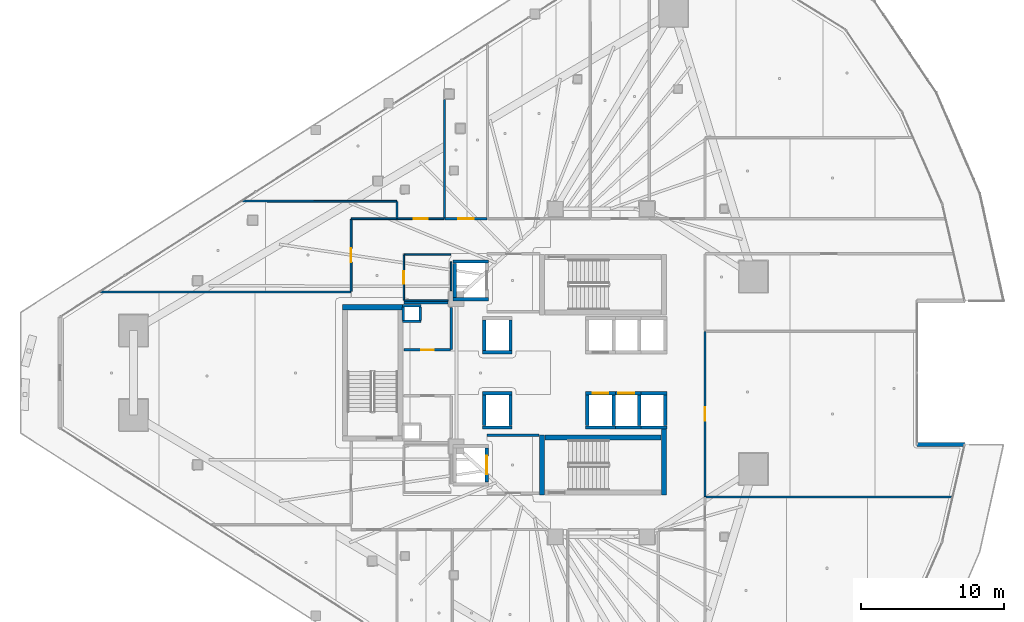
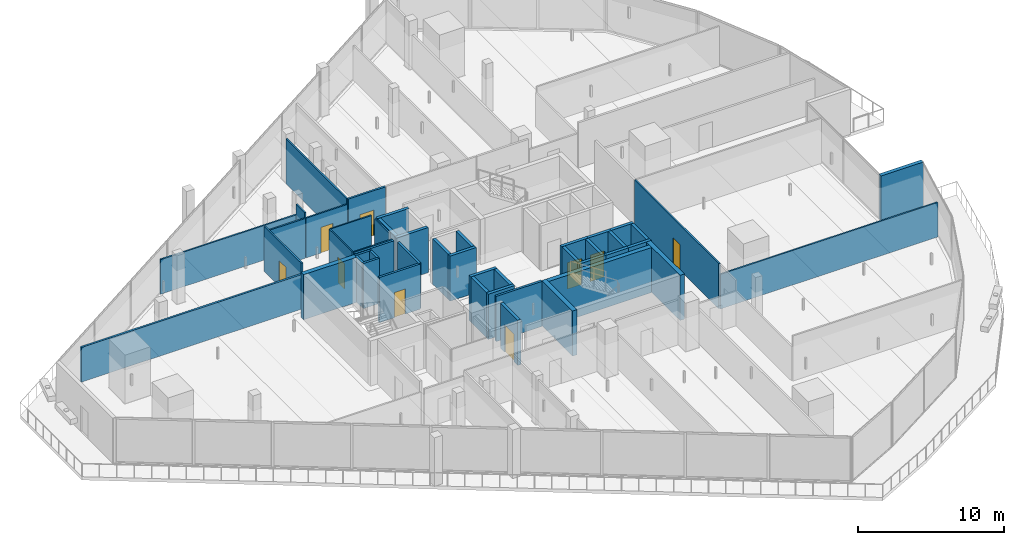
# One storey, part 31 of 45: 48 walls, 9 doors, 9 openings.
"""IFC4 building model written with IfcOpenShell, lengths in metres."""

import ifcopenshell
import ifcopenshell.guid

model = None  # the IFC model being written
_history = None  # IfcOwnerHistory: only IFC2X3 demands one
_inside = {}  # id of a spatial element -> (the spatial element, [elements in it])
_under = {}  # id of a project, library or spatial element -> (it, [spatial elements below it])
_declared = {}  # id of a project -> (the project, [libraries it declares])
_typed = {}  # id of a type object -> (the type object, [elements of that type])
_made_of = {}  # id of a material, layer set ... -> (it, [elements and type objects made of it])


def new_model(schema):
    """Start an empty IFC model of exactly this schema.

    Asked for "IFC4X3", IfcOpenShell would pick the latest addendum, in which some entities
    have other attributes; the version numbers below select the first issue.
    IFC2X3 requires an IfcOwnerHistory on every rooted entity: one is made here for all.
    """
    global model, _history
    if schema == "IFC4X3":
        model = ifcopenshell.file(schema_version=(4, 3, 0, 0))
    else:
        model = ifcopenshell.file(schema=schema)
    _inside.clear()
    _under.clear()
    _declared.clear()
    _typed.clear()
    _made_of.clear()
    _history = None
    if model.schema == "IFC2X3":
        org = make("IfcOrganization", Name="unknown")
        user = make(
            "IfcPersonAndOrganization",
            ThePerson=make("IfcPerson", FamilyName="unknown"),
            TheOrganization=org,
        )
        app = make(
            "IfcApplication",
            ApplicationDeveloper=org,
            Version="unknown",
            ApplicationFullName="unknown",
            ApplicationIdentifier="unknown",
        )
        _history = make(
            "IfcOwnerHistory",
            OwningUser=user,
            OwningApplication=app,
            ChangeAction="ADDED",
            CreationDate=0,
        )
    return model


def make(cls, **values):
    """One entity of the class cls with the attributes given. An attribute that is None is left unset."""
    return model.create_entity(
        cls, **{name: value for name, value in values.items() if value is not None}
    )


def rooted(cls, **values):
    """An entity with a GlobalId (a new one), such as an element, a storey or a relation."""
    return make(cls, GlobalId=ifcopenshell.guid.new(), OwnerHistory=_history, **values)


def si_unit(unit_type, name, prefix=None):
    """IfcSIUnit, for example si_unit("LENGTHUNIT", "METRE", prefix="MILLI")."""
    return make("IfcSIUnit", UnitType=unit_type, Prefix=prefix, Name=name)


def assignment(units):
    """IfcUnitAssignment: the units of a project."""
    return None if units is None else make("IfcUnitAssignment", Units=units)


def point(xyz):
    """IfcCartesianPoint."""
    return None if xyz is None else make("IfcCartesianPoint", Coordinates=xyz)


def direction(xyz):
    """IfcDirection."""
    return None if xyz is None else make("IfcDirection", DirectionRatios=xyz)


def frame(location, z_axis=None, x_axis=None):
    """IfcAxis2Placement3D, a coordinate frame: its origin and axes. An axis left out is left unset."""
    return make(
        "IfcAxis2Placement3D",
        Location=point(location),
        Axis=direction(z_axis),
        RefDirection=direction(x_axis),
    )


def frame_2d(location, x_axis=None):
    """IfcAxis2Placement2D, a coordinate frame in the plane: its origin and x axis."""
    return make(
        "IfcAxis2Placement2D", Location=point(location), RefDirection=direction(x_axis)
    )


def origin():
    """The frame at (0, 0, 0) with its axes left unset."""
    return frame((0.0, 0.0, 0.0))


def place(relative_to, where):
    """IfcLocalPlacement: puts the frame where relative to a parent placement (None: the world)."""
    return make(
        "IfcLocalPlacement", PlacementRelTo=relative_to, RelativePlacement=where
    )


def context(
    kind, dimensions, precision=None, world=None, true_north=None, identifier=None
):
    """IfcGeometricRepresentationContext, for example the 3D "Model" context."""
    return make(
        "IfcGeometricRepresentationContext",
        ContextIdentifier=identifier,
        ContextType=kind,
        CoordinateSpaceDimension=dimensions,
        Precision=precision,
        WorldCoordinateSystem=world,
        TrueNorth=true_north,
    )


def subcontext(parent, identifier, kind, view, scale=None):
    """IfcGeometricRepresentationSubContext, for example "Body" below "Model"."""
    return make(
        "IfcGeometricRepresentationSubContext",
        ContextIdentifier=identifier,
        ContextType=kind,
        ParentContext=parent,
        TargetScale=scale,
        TargetView=view,
    )


def project(units=None, contexts=None):
    """IfcProject with its units and contexts."""
    return rooted(
        "IfcProject",
        Name="project",
        RepresentationContexts=contexts,
        UnitsInContext=assignment(units),
    )


def spatial(cls, under=None, at=None, **own):
    """A site, building, storey or space (cls), placed at a placement, below another one or the project."""
    s = rooted(cls, ObjectPlacement=at, **own)
    if under is not None:
        _under.setdefault(under.id(), (under, []))[1].append(s)
    return s


def profile(cls, at=None, kind="AREA", **sizes):
    """A parametric profile (cls). Its sizes go by their IFC names, for example OverallWidth=200.0."""
    return make(cls, ProfileType=kind, Position=at, **sizes)


def rectangle(**sizes):
    """IfcRectangleProfileDef."""
    return profile("IfcRectangleProfileDef", **sizes)


def extrude(swept, where, along, depth):
    """IfcExtrudedAreaSolid: the profile swept, set in the frame where, extruded along a direction by depth."""
    return make(
        "IfcExtrudedAreaSolid",
        SweptArea=swept,
        Position=where,
        ExtrudedDirection=direction(along),
        Depth=depth,
    )


def shape(context_of_items, identifier, shape_type, items):
    """IfcShapeRepresentation: the items that make up one representation, for example the "Body"."""
    return make(
        "IfcShapeRepresentation",
        ContextOfItems=context_of_items,
        RepresentationIdentifier=identifier,
        RepresentationType=shape_type,
        Items=items,
    )


def material(Name=None, Category=None):
    """IfcMaterial."""
    return make("IfcMaterial", Name=Name, Category=Category)


def layer(
    of_material, thickness, ventilated=None, Name=None, Category=None, Priority=None
):
    """IfcMaterialLayer: one layer of a wall or slab, of a material (None: an air gap)."""
    return make(
        "IfcMaterialLayer",
        Material=of_material,
        LayerThickness=thickness,
        IsVentilated=ventilated,
        Name=Name,
        Category=Category,
        Priority=Priority,
    )


def layer_set(layers, Name=None):
    """IfcMaterialLayerSet."""
    return make("IfcMaterialLayerSet", MaterialLayers=layers, LayerSetName=Name)


def made_of(thing, what):
    """Note that an element or type object is made of a material, layer set ...; save() writes the relation."""
    if what is not None:
        _made_of.setdefault(what.id(), (what, []))[1].append(thing)
    return thing


def type_object(cls, material=None, **own):
    """A type object (cls), such as IfcWallType, which elements share."""
    return made_of(rooted(cls, **own), material)


def element(
    cls,
    number,
    at=None,
    inside=None,
    cuts=None,
    type_object=None,
    material=None,
    context=None,
    identifier="Body",
    shape_type=None,
    held_by="IfcProductDefinitionShape",
    body=None,
    shapes=None,
    **own,
):
    """One element of the class cls, such as IfcWall. Its Tag is "e" and its number.

    at: its placement. inside: the storey or other place that contains it. cuts: it is an
    opening in that element (IfcRelVoidsElement). A single representation is given by context,
    identifier, shape_type and body (its items); several are given by shapes. held_by: the class
    of the entity that holds the representations. save() writes the other relations.
    """
    e = rooted(cls, Tag="e%d" % number, ObjectPlacement=at, **own)
    if body is not None:
        shapes = [shape(context, identifier, shape_type, body)]
    if shapes is not None:
        e.Representation = make(held_by, Representations=shapes)
    if inside is not None:
        _inside.setdefault(inside.id(), (inside, []))[1].append(e)
    if cuts is not None:
        rooted(
            "IfcRelVoidsElement", RelatingBuildingElement=cuts, RelatedOpeningElement=e
        )
    if type_object is not None:
        _typed.setdefault(type_object.id(), (type_object, []))[1].append(e)
    return made_of(e, material)


def fill(opening, filler):
    """IfcRelFillsElement: the door or window that sits in an opening."""
    return rooted(
        "IfcRelFillsElement",
        RelatingOpeningElement=opening,
        RelatedBuildingElement=filler,
    )


def aggregate(whole, parts):
    """IfcRelAggregates: a whole, such as a stair, and the parts it consists of."""
    return rooted("IfcRelAggregates", RelatingObject=whole, RelatedObjects=parts)


def save(model, path):
    """Write the relations noted so far, then the file.

    IfcRelAggregates (storeys below a building ...), IfcRelContainedInSpatialStructure (elements
    in a storey), IfcRelDefinesByType, IfcRelAssociatesMaterial and IfcRelDeclares: one each for
    every whole, place, type object, material and project.
    """
    for whole, parts in _under.values():
        aggregate(whole, parts)
    for where, things in _inside.values():
        rooted(
            "IfcRelContainedInSpatialStructure",
            RelatedElements=things,
            RelatingStructure=where,
        )
    for kind, things in _typed.values():
        rooted("IfcRelDefinesByType", RelatedObjects=things, RelatingType=kind)
    for what, things in _made_of.values():
        rooted("IfcRelAssociatesMaterial", RelatedObjects=things, RelatingMaterial=what)
    for by, libraries in _declared.values():
        rooted("IfcRelDeclares", RelatingContext=by, RelatedDefinitions=libraries)
    model.write(path)


model = new_model("IFC4")

# Units and contexts
model_context = context("Model", 3, precision=1e-05, world=origin(), true_north=direction((0.0, 1.0)))
body_context = subcontext(model_context, "Body", "Model", "MODEL_VIEW")
ifc_project = project(units=[si_unit("LENGTHUNIT", "METRE"), si_unit("AREAUNIT", "SQUARE_METRE"), si_unit("VOLUMEUNIT", "CUBIC_METRE"), si_unit("PLANEANGLEUNIT", "RADIAN"), si_unit("MASSUNIT", "GRAM", prefix="KILO")], contexts=[model_context])

# Site, building, storey
site_placement = place(None, origin())
site = spatial("IfcSite", under=ifc_project, at=site_placement, CompositionType="ELEMENT")
building_placement = place(site_placement, origin())
building = spatial("IfcBuilding", under=site, at=building_placement, Name="Qorvath Tower", CompositionType="ELEMENT")
storey_placement = place(building_placement, frame((0.0, 0.0, 109.800048828125)))
storey = spatial("IfcBuildingStorey", under=building, at=storey_placement, Name="L24", CompositionType="ELEMENT", Elevation=109.800048828125)

# Walls
ifc_material_1 = material(Name="Gypsum shaftliner on steel studs", Category="steel")
ifc_layer_1 = layer(ifc_material_1, 0.179931640625)
ifc_layer_set_1 = layer_set([ifc_layer_1], Name="FW-LOBBY")
wall_type_1 = type_object("IfcWallType", Name="FW-LOBBY", PredefinedType="PARTITIONING", material=ifc_layer_set_1)
for number, where, z_axis, x_axis, name in (
    (1, (-32.989990234375, 3.594970703125, 0.0), (0.0, 0.0, 1.0), (-1.0, 0.0, 0.0), "MEP Riser Shaft Enclosure Wall N-L24-S"),
    (2, (-34.260009765625, 4.675048828125, 0.0), (0.0, 0.0, 1.0), (1.0, 0.0, 0.0), "MEP Riser Shaft Enclosure Wall N-L24-N"),
):
    element("IfcWall", number, at=place(storey_placement, frame(where, z_axis=z_axis, x_axis=x_axis)), inside=storey, type_object=wall_type_1, Name=name, PredefinedType="PARTITIONING", context=body_context, shape_type="SweptSolid", body=[
        extrude(rectangle(XDim=1.27001953125, YDim=0.179931640625, at=frame_2d((0.635009765625, 0.0))), origin(), (0.0, 0.0, 1.0), 3.77001953125),
    ])
for number, where, z_axis, x_axis, name in (
    (3, (-34.205078125, 3.659912109375, 0.0), (0.0, 0.0, 1.0), (0.0, 1.0, 0.0), "MEP Riser Shaft Enclosure Wall N-L24-W"),
    (4, (-33.044921875, 4.610107421875, 0.0), (0.0, 0.0, 1.0), (0.0, -1.0, 0.0), "MEP Riser Shaft Enclosure Wall N-L24-E"),
):
    element("IfcWall", number, at=place(storey_placement, frame(where, z_axis=z_axis, x_axis=x_axis)), inside=storey, type_object=wall_type_1, Name=name, PredefinedType="PARTITIONING", context=body_context, shape_type="SweptSolid", body=[
        extrude(rectangle(XDim=0.9501953125, YDim=0.179931640625, at=frame_2d((0.47509765625, 0.0))), origin(), (0.0, 0.0, 1.0), 3.77001953125),
    ])
wall_1_placement = place(storey_placement, frame((-24.73291015625, -4.35009765625, 0.0), z_axis=(0.0, 0.0, 1.0), x_axis=(-1.0, 0.0, 0.0)))
element("IfcWall", 5, at=wall_1_placement, inside=storey, type_object=wall_type_1, Name="Interior Partition IW-T1-L24-004", PredefinedType="PARTITIONING", context=body_context, shape_type="SweptSolid", body=[
    extrude(rectangle(XDim=3.6220703125, YDim=0.179931640625, at=frame_2d((1.81103515625, 0.0))), origin(), (0.0, 0.0, 1.0), 3.77001953125),
])

# Wall, opening, door
wall_2_placement = place(storey_placement, frame((-34.15478515625, 1.60009765625, 0.0), z_axis=(0.0, 0.0, 1.0), x_axis=(1.0, 0.0, 0.0)))
wall_2 = element("IfcWall", 6, at=wall_2_placement, inside=storey, type_object=wall_type_1, Name="Interior Partition IW-T1-L24-013", PredefinedType="PARTITIONING", context=body_context, shape_type="SweptSolid", body=[
    extrude(rectangle(XDim=3.25, YDim=0.179931640625, at=frame_2d((1.625, 0.0))), origin(), (0.0, 0.0, 1.0), 3.77001953125),
])
opening_1_placement = place(wall_2_placement, frame((1.18505859375, 0.0, 0.0)))
opening_1 = element("IfcOpeningElement", 7, at=opening_1_placement, cuts=wall_2, Name="Opening D-T1-L24-03", PredefinedType="OPENING", context=body_context, shape_type="SweptSolid", body=[
    extrude(rectangle(XDim=0.8798828125, YDim=2.10009765625, at=frame_2d((0.43994140625, 1.050048828125))), frame((0.0, 0.10009765625, 0.0), z_axis=(0.0, -1.0, 0.0), x_axis=(1.0, 0.0, 0.0)), (0.0, 0.0, 1.0), 0.199951171875),
])
ifc_material_2 = material(Name="Painted galvanised hollow metal", Category="steel")
door_type_1 = type_object("IfcDoorType", Name="FD-60N", OperationType="NOTDEFINED", PredefinedType="DOOR", material=ifc_material_2)
door_1_placement = place(opening_1_placement, origin())
door_1 = element("IfcDoor", 8, at=door_1_placement, inside=storey, type_object=door_type_1, Name="Core cleaner and custodial room L24 Door D-T1-L24-03", OperationType="SINGLE_SWING_LEFT", OverallHeight=2.10009765625, OverallWidth=0.8798828125, PredefinedType="DOOR", context=body_context, shape_type="SweptSolid", body=[
    extrude(rectangle(XDim=0.8798828125, YDim=2.10009765625, at=frame_2d((0.43994140625, 1.050048828125))), frame((0.0, 0.02490234375, 0.0), z_axis=(0.0, -1.0, 0.0), x_axis=(1.0, 0.0, 0.0)), (0.0, 0.0, 1.0), 0.050048828125),
])
fill(opening_1, door_1)

# Walls
wall_3_placement = place(storey_placement, frame((-30.8798828125, 1.625, 0.0), z_axis=(0.0, 0.0, 1.0), x_axis=(0.0, 1.0, 0.0)))
element("IfcWall", 9, at=wall_3_placement, inside=storey, type_object=wall_type_1, Name="Interior Partition IW-T1-L24-014", PredefinedType="PARTITIONING", context=body_context, shape_type="SweptSolid", body=[
    extrude(rectangle(XDim=2.93505859375, YDim=0.179931640625, at=frame_2d((1.467529296875, 0.0))), origin(), (0.0, 0.0, 1.0), 3.77001953125),
])
wall_4_placement = place(storey_placement, frame((-31.090087890625, 4.89990234375, 0.0), z_axis=(0.0, 0.0, 1.0), x_axis=(-1.0, 0.0, 0.0)))
element("IfcWall", 10, at=wall_4_placement, inside=storey, type_object=wall_type_1, Name="Interior Partition IW-T1-L24-015", PredefinedType="PARTITIONING", context=body_context, shape_type="SweptSolid", body=[
    extrude(rectangle(XDim=3.064697265625, YDim=0.179931640625, at=frame_2d((1.5322265625, 0.0))), origin(), (0.0, 0.0, 1.0), 3.77001953125),
])

# Wall, opening, door
ifc_material_3 = material(Name="Double acoustic gypsum board on steel studs", Category="steel")
ifc_layer_2 = layer(ifc_material_3, 0.159912109375)
ifc_layer_set_2 = layer_set([ifc_layer_2], Name="IW-ACOUSTIC-160")
wall_type_2 = type_object("IfcWallType", Name="IW-ACOUSTIC-160", PredefinedType="PARTITIONING", material=ifc_layer_set_2)
wall_5_placement = place(storey_placement, frame((-31.30859375, 10.758056640625, 0.0), z_axis=(0.0, 0.0, 1.0), x_axis=(1.0, 0.0, 0.0)))
wall_5 = element("IfcWall", 11, at=wall_5_placement, inside=storey, type_object=wall_type_2, Name="Interior Partition IW-T1-L24-023", PredefinedType="PARTITIONING", context=body_context, shape_type="SweptSolid", body=[
    extrude(rectangle(XDim=2.952392578125, YDim=0.159912109375, at=frame_2d((1.47607421875, 0.0))), origin(), (0.0, 0.0, 1.0), 3.77001953125),
])
opening_2_placement = place(wall_5_placement, frame((0.92626953125, 0.0, 0.0)))
opening_2 = element("IfcOpeningElement", 12, at=opening_2_placement, cuts=wall_5, Name="Opening D-T1-L24-06", PredefinedType="OPENING", context=body_context, shape_type="SweptSolid", body=[
    extrude(rectangle(XDim=1.10009765625, YDim=2.14990234375, at=frame_2d((0.550048828125, 1.074951171875))), frame((0.0, 0.08984375, 0.0), z_axis=(0.0, -1.0, 0.0), x_axis=(1.0, 0.0, 0.0)), (0.0, 0.0, 1.0), 0.179931640625),
])
ifc_material_4 = material(Name="Anodised aluminium acoustic framed glass", Category="aluminium")
door_type_2 = type_object("IfcDoorType", Name="D-03", OperationType="NOTDEFINED", PredefinedType="DOOR", material=ifc_material_4)
door_2_placement = place(opening_2_placement, origin())
door_2 = element("IfcDoor", 13, at=door_2_placement, inside=storey, type_object=door_type_2, Name="L24-02 Enclosed Conference Suite Door D-T1-L24-06", OperationType="SINGLE_SWING_RIGHT", OverallHeight=2.14990234375, OverallWidth=1.10009765625, PredefinedType="DOOR", context=body_context, shape_type="SweptSolid", body=[
    extrude(rectangle(XDim=1.10009765625, YDim=2.14990234375, at=frame_2d((0.550048828125, 1.074951171875))), frame((0.0, 0.02490234375, 0.0), z_axis=(0.0, -1.0, 0.0), x_axis=(1.0, 0.0, 0.0)), (0.0, 0.0, 1.0), 0.050048828125),
])
fill(opening_2, door_2)

# Walls
wall_6_placement = place(storey_placement, frame((-37.8828125, 5.64306640625, 0.0), z_axis=(0.0, 0.0, 1.0), x_axis=(-0.99999998352, -0.000181549029, 0.0)))
element("IfcWall", 14, at=wall_6_placement, inside=storey, type_object=wall_type_2, Name="Interior Partition IW-T1-L24-055", PredefinedType="PARTITIONING", context=body_context, shape_type="SweptSolid", body=[
    extrude(rectangle(XDim=17.48193359375, YDim=0.159912109375, at=frame_2d((8.740966796875, 0.0))), origin(), (0.0, 0.0, 1.0), 2.889892578125),
])
ifc_material_5 = material(Name="Gypsum board on metal studs with mineral wool", Category="gypsum")
ifc_layer_3 = layer(ifc_material_5, 0.125)
ifc_layer_set_3 = layer_set([ifc_layer_3], Name="IW-PART-125")
wall_type_3 = type_object("IfcWallType", Name="IW-PART-125", PredefinedType="PARTITIONING", material=ifc_layer_set_3)
wall_7_placement = place(storey_placement, frame((-34.64990234375, 10.783203125, 0.0), z_axis=(0.0, 0.0, 1.0), x_axis=(0.0, 1.0, 0.0)))
element("IfcWall", 15, at=wall_7_placement, inside=storey, type_object=wall_type_3, Name="Interior Partition IW-T1-L24-019", PredefinedType="PARTITIONING", context=body_context, shape_type="SweptSolid", body=[
    extrude(rectangle(XDim=1.1708984375, YDim=0.125, at=frame_2d((0.58544921875, 0.0))), origin(), (0.0, 0.0, 1.0), 3.77001953125),
])

# Wall, opening, door
wall_8_placement = place(storey_placement, frame((-34.625, 10.758056640625, 0.0), z_axis=(0.0, 0.0, 1.0), x_axis=(1.0, 0.0, 0.0)))
wall_8 = element("IfcWall", 16, at=wall_8_placement, inside=storey, type_object=wall_type_3, Name="Interior Partition IW-T1-L24-020", PredefinedType="PARTITIONING", context=body_context, shape_type="SweptSolid", body=[
    extrude(rectangle(XDim=3.25830078125, YDim=0.125, at=frame_2d((1.629150390625, 0.0))), origin(), (0.0, 0.0, 1.0), 3.334228515625),
])
opening_3_placement = place(wall_8_placement, frame((1.154052734375, 0.0, 0.0)))
opening_3 = element("IfcOpeningElement", 17, at=opening_3_placement, cuts=wall_8, Name="Opening D-T1-L24-05", PredefinedType="OPENING", context=body_context, shape_type="SweptSolid", body=[
    extrude(rectangle(XDim=0.949951171875, YDim=2.14990234375, at=frame_2d((0.47509765625, 1.074951171875))), frame((0.0, 0.072509765625, 0.0), z_axis=(0.0, -1.0, 0.0), x_axis=(1.0, 0.0, 0.0)), (0.0, 0.0, 1.0), 0.14501953125),
])
ifc_material_6 = material(Name="Solid-core American white oak veneer", Category="wood")
door_type_3 = type_object("IfcDoorType", Name="D-01", OperationType="NOTDEFINED", PredefinedType="DOOR", material=ifc_material_6)
door_3_placement = place(opening_3_placement, origin())
door_3 = element("IfcDoor", 18, at=door_3_placement, inside=storey, type_object=door_type_3, Name="L24-01 Open Workplace Studio Door D-T1-L24-05", OperationType="SINGLE_SWING_LEFT", OverallHeight=2.14990234375, OverallWidth=0.949951171875, PredefinedType="DOOR", context=body_context, shape_type="SweptSolid", body=[
    extrude(rectangle(XDim=0.949951171875, YDim=2.14990234375, at=frame_2d((0.47509765625, 1.074951171875))), frame((0.0, 0.02490234375, 0.0), z_axis=(0.0, -1.0, 0.0), x_axis=(1.0, 0.0, 0.0)), (0.0, 0.0, 1.0), 0.050048828125),
])
fill(opening_3, door_3)

# Walls
wall_9_placement = place(storey_placement, frame((-31.341552734375, 10.783203125, 0.0), z_axis=(0.0, 0.0, 1.0), x_axis=(0.0, 1.0, 0.0)))
element("IfcWall", 19, at=wall_9_placement, inside=storey, type_object=wall_type_3, Name="Interior Partition IW-T1-L24-021", PredefinedType="PARTITIONING", context=body_context, shape_type="SweptSolid", body=[
    extrude(rectangle(XDim=8.287109375, YDim=0.125, at=frame_2d((4.1435546875, 0.0))), origin(), (0.0, 0.0, 1.0), 3.77001953125),
])
wall_10_placement = place(storey_placement, frame((-45.431640625, 11.98828125, 0.0), z_axis=(0.0, 0.0, 1.0), x_axis=(0.999999628081, -0.000862459961, 0.0)))
element("IfcWall", 20, at=wall_10_placement, inside=storey, type_object=wall_type_3, Name="Interior Partition IW-T1-L24-022", PredefinedType="PARTITIONING", context=body_context, shape_type="SweptSolid", body=[
    extrude(rectangle(XDim=10.7568359375, YDim=0.125, at=frame_2d((5.37841796875, 0.0))), origin(), (0.0, 0.0, 1.0), 2.889892578125),
])
wall_11_placement = place(storey_placement, frame((4.062255859375, -8.677001953125, 0.0), z_axis=(0.0, 0.0, 1.0), x_axis=(-1.0, 0.0, 0.0)))
element("IfcWall", 21, at=wall_11_placement, inside=storey, type_object=wall_type_3, Name="Interior Partition IW-T1-L24-045", PredefinedType="PARTITIONING", context=body_context, shape_type="SweptSolid", body=[
    extrude(rectangle(XDim=17.179443359375, YDim=0.125, at=frame_2d((8.58984375, 0.0))), origin(), (0.0, 0.0, 1.0), 2.885009765625),
])

# Wall, opening, door
wall_12_placement = place(storey_placement, frame((-13.14208984375, 2.87841796875, 0.0), z_axis=(0.0, 0.0, 1.0), x_axis=(0.0, -1.0, 0.0)))
wall_12 = element("IfcWall", 22, at=wall_12_placement, inside=storey, type_object=wall_type_3, Name="Interior Partition IW-T1-L24-048", PredefinedType="PARTITIONING", context=body_context, shape_type="SweptSolid", body=[
    extrude(rectangle(XDim=11.522705078125, YDim=0.125, at=frame_2d((5.76123046875, 0.0))), origin(), (0.0, 0.0, 1.0), 3.77001953125),
])
opening_4_placement = place(wall_12_placement, frame((5.286376953125, 0.0, 0.0)))
opening_4 = element("IfcOpeningElement", 23, at=opening_4_placement, cuts=wall_12, Name="Opening D-T1-L24-15", PredefinedType="OPENING", context=body_context, shape_type="SweptSolid", body=[
    extrude(rectangle(XDim=0.949951171875, YDim=2.14990234375, at=frame_2d((0.47509765625, 1.074951171875))), frame((0.0, 0.072509765625, 0.0), z_axis=(0.0, -1.0, 0.0), x_axis=(1.0, 0.0, 0.0)), (0.0, 0.0, 1.0), 0.14501953125),
])
door_4_placement = place(opening_4_placement, origin())
door_4 = element("IfcDoor", 24, at=door_4_placement, inside=storey, type_object=door_type_3, Name="L24-11 Open Workplace Studio Door D-T1-L24-15", OperationType="SINGLE_SWING_LEFT", OverallHeight=2.14990234375, OverallWidth=0.949951171875, PredefinedType="DOOR", context=body_context, shape_type="SweptSolid", body=[
    extrude(rectangle(XDim=0.949951171875, YDim=2.14990234375, at=frame_2d((0.47509765625, 1.074951171875))), frame((0.0, 0.02490234375, 0.0), z_axis=(0.0, -1.0, 0.0), x_axis=(1.0, 0.0, 0.0)), (0.0, 0.0, 1.0), 0.050048828125),
])
fill(opening_4, door_4)

wall_13_placement = place(storey_placement, frame((-37.85791015625, 5.676025390625, 0.0), z_axis=(0.0, 0.0, 1.0), x_axis=(0.0, 1.0, 0.0)))
wall_13 = element("IfcWall", 25, at=wall_13_placement, inside=storey, type_object=wall_type_3, Name="Interior Partition IW-T1-L24-056", PredefinedType="PARTITIONING", context=body_context, shape_type="SweptSolid", body=[
    extrude(rectangle(XDim=5.05712890625, YDim=0.125, at=frame_2d((2.528564453125, 0.0))), origin(), (0.0, 0.0, 1.0), 3.77001953125),
])
opening_5_placement = place(wall_13_placement, frame((2.0537109375, 0.0, 0.0)))
opening_5 = element("IfcOpeningElement", 26, at=opening_5_placement, cuts=wall_13, Name="Opening D-T1-L24-18", PredefinedType="OPENING", context=body_context, shape_type="SweptSolid", body=[
    extrude(rectangle(XDim=0.949951171875, YDim=2.14990234375, at=frame_2d((0.47509765625, 1.074951171875))), frame((0.0, 0.072509765625, 0.0), z_axis=(0.0, -1.0, 0.0), x_axis=(1.0, 0.0, 0.0)), (0.0, 0.0, 1.0), 0.14501953125),
])
door_5_placement = place(opening_5_placement, origin())
door_5 = element("IfcDoor", 27, at=door_5_placement, inside=storey, type_object=door_type_3, Name="L24-15 Staff Wellness Studio Door D-T1-L24-18", OperationType="SINGLE_SWING_RIGHT", OverallHeight=2.14990234375, OverallWidth=0.949951171875, PredefinedType="DOOR", context=body_context, shape_type="SweptSolid", body=[
    extrude(rectangle(XDim=0.949951171875, YDim=2.14990234375, at=frame_2d((0.47509765625, 1.074951171875))), frame((0.0, 0.02490234375, 0.0), z_axis=(0.0, -1.0, 0.0), x_axis=(1.0, 0.0, 0.0)), (0.0, 0.0, 1.0), 0.050048828125),
])
fill(opening_5, door_5)

# Wall
wall_14_placement = place(storey_placement, frame((-34.68310546875, 10.758056640625, 0.0), z_axis=(0.0, 0.0, 1.0), x_axis=(-1.0, 0.0, 0.0)))
element("IfcWall", 28, at=wall_14_placement, inside=storey, type_object=wall_type_3, Name="Interior Partition IW-T1-L24-057", PredefinedType="PARTITIONING", context=body_context, shape_type="SweptSolid", body=[
    extrude(rectangle(XDim=3.14990234375, YDim=0.125, at=frame_2d((1.574951171875, 0.0))), origin(), (0.0, 0.0, 1.0), 3.334228515625),
])

# Wall, opening, door
ifc_material_7 = material(Name="Moisture-resistant cement board on metal studs", Category="gypsum")
ifc_layer_4 = layer(ifc_material_7, 0.110107421875)
ifc_layer_set_4 = layer_set([ifc_layer_4], Name="IW-WC-110")
wall_type_4 = type_object("IfcWallType", Name="IW-WC-110", PredefinedType="PARTITIONING", material=ifc_layer_set_4)
wall_15_placement = place(storey_placement, frame((-34.179931640625, 8.22509765625, 0.0), z_axis=(0.0, 0.0, 1.0), x_axis=(0.0, -1.0, 0.0)))
wall_15 = element("IfcWall", 29, at=wall_15_placement, inside=storey, type_object=wall_type_4, Name="Interior Partition IW-T1-L24-005", PredefinedType="PARTITIONING", context=body_context, shape_type="SweptSolid", body=[
    extrude(rectangle(XDim=3.150146484375, YDim=0.110107421875, at=frame_2d((1.5751953125, 0.0))), origin(), (0.0, 0.0, 1.0), 3.77001953125),
])
opening_6_placement = place(wall_15_placement, frame((1.135009765625, 0.0, 0.0)))
opening_6 = element("IfcOpeningElement", 30, at=opening_6_placement, cuts=wall_15, Name="Opening D-T1-L24-01", PredefinedType="OPENING", context=body_context, shape_type="SweptSolid", body=[
    extrude(rectangle(XDim=0.8798828125, YDim=2.10009765625, at=frame_2d((0.43994140625, 1.050048828125))), frame((0.0, 0.06494140625, 0.0), z_axis=(0.0, -1.0, 0.0), x_axis=(1.0, 0.0, 0.0)), (0.0, 0.0, 1.0), 0.130126953125),
])
ifc_material_8 = material(Name="Solid-core oak with acoustic drop seal", Category="wood")
door_type_4 = type_object("IfcDoorType", Name="D-02", OperationType="NOTDEFINED", PredefinedType="DOOR", material=ifc_material_8)
door_6_placement = place(opening_6_placement, origin())
door_6 = element("IfcDoor", 31, at=door_6_placement, inside=storey, type_object=door_type_4, Name="WC All-Gender North L24 Door D-T1-L24-01", OperationType="SINGLE_SWING_LEFT", OverallHeight=2.10009765625, OverallWidth=0.8798828125, PredefinedType="DOOR", context=body_context, shape_type="SweptSolid", body=[
    extrude(rectangle(XDim=0.8798828125, YDim=2.10009765625, at=frame_2d((0.43994140625, 1.050048828125))), frame((0.0, 0.02490234375, 0.0), z_axis=(0.0, -1.0, 0.0), x_axis=(1.0, 0.0, 0.0)), (0.0, 0.0, 1.0), 0.050048828125),
])
fill(opening_6, door_6)

# Walls
wall_16_placement = place(storey_placement, frame((-34.15478515625, 5.050048828125, 0.0), z_axis=(0.0, 0.0, 1.0), x_axis=(1.0, 0.0, 0.0)))
element("IfcWall", 32, at=wall_16_placement, inside=storey, type_object=wall_type_4, Name="Interior Partition IW-T1-L24-006", PredefinedType="PARTITIONING", context=body_context, shape_type="SweptSolid", body=[
    extrude(rectangle(XDim=3.064697265625, YDim=0.110107421875, at=frame_2d((1.5322265625, 0.0))), origin(), (0.0, 0.0, 1.0), 3.77001953125),
])
wall_17_placement = place(storey_placement, frame((-30.8798828125, 5.739990234375, 0.0), z_axis=(0.0, 0.0, 1.0), x_axis=(0.0, 1.0, 0.0)))
element("IfcWall", 33, at=wall_17_placement, inside=storey, type_object=wall_type_4, Name="Interior Partition IW-T1-L24-007", PredefinedType="PARTITIONING", context=body_context, shape_type="SweptSolid", body=[
    extrude(rectangle(XDim=2.0029296875, YDim=0.110107421875, at=frame_2d((1.00146484375, 0.0))), origin(), (0.0, 0.0, 1.0), 3.77001953125),
])
wall_18_placement = place(storey_placement, frame((-30.90478515625, 8.25, 0.0), z_axis=(0.0, 0.0, 1.0), x_axis=(-1.0, 0.0, 0.0)))
element("IfcWall", 34, at=wall_18_placement, inside=storey, type_object=wall_type_4, Name="Interior Partition IW-T1-L24-008", PredefinedType="PARTITIONING", context=body_context, shape_type="SweptSolid", body=[
    extrude(rectangle(XDim=3.25, YDim=0.110107421875, at=frame_2d((1.625, 0.0))), origin(), (0.0, 0.0, 1.0), 3.77001953125),
])
ifc_material_9 = material(Name="Concrete C60/75", Category="concrete")
ifc_layer_5 = layer(ifc_material_9, 0.260009765625)
ifc_layer_set_5 = layer_set([ifc_layer_5], Name="SW-SHAFT")
wall_type_5 = type_object("IfcWallType", Name="SW-SHAFT", PredefinedType="SHEAR", material=ifc_layer_set_5)
for number, where, z_axis, x_axis, name in (
    (35, (-28.260009765625, 5.1298828125, 0.0), (0.0, 0.0, 1.0), (-1.0, 0.0, 0.0), "Hoistway Wall FSAE-1 L24 S"),
    (36, (-30.739990234375, 7.77001953125, 0.0), (0.0, 0.0, 1.0), (1.0, 0.0, 0.0), "Hoistway Wall FSAE-1 L24 N"),
):
    element("IfcWall", number, at=place(storey_placement, frame(where, z_axis=z_axis, x_axis=x_axis)), inside=storey, type_object=wall_type_5, Name=name, PredefinedType="SHEAR", context=body_context, shape_type="SweptSolid", body=[
        extrude(rectangle(XDim=2.47998046875, YDim=0.239990234375, at=frame_2d((1.239990234375, 0.0))), origin(), (0.0, 0.0, 1.0), 3.77001953125),
    ])
wall_19_placement = place(storey_placement, frame((-30.6201171875, 5.261962890625, 0.0), z_axis=(0.0, 0.0, 1.0), x_axis=(0.0, 1.0, 0.0)))
element("IfcWall", 37, at=wall_19_placement, inside=storey, type_object=wall_type_5, Name="Hoistway Wall FSAE-1 L24 W", PredefinedType="SHEAR", context=body_context, shape_type="SweptSolid", body=[
    extrude(rectangle(XDim=2.3759765625, YDim=0.239990234375, at=frame_2d((1.18798828125, 0.0))), origin(), (0.0, 0.0, 1.0), 3.77001953125),
])

# Wall, opening, door
wall_20_placement = place(storey_placement, frame((-28.3798828125, -5.261962890625, 0.0), z_axis=(0.0, 0.0, 1.0), x_axis=(0.0, -1.0, 0.0)))
wall_20 = element("IfcWall", 38, at=wall_20_placement, inside=storey, type_object=wall_type_5, Name="Hoistway Wall FSAE-2 L24 E", PredefinedType="SHEAR", context=body_context, shape_type="SweptSolid", body=[
    extrude(rectangle(XDim=2.3759765625, YDim=0.239990234375, at=frame_2d((1.18798828125, 0.0))), origin(), (0.0, 0.0, 1.0), 3.77001953125),
])
opening_7_placement = place(wall_20_placement, frame((0.5380859375, 0.0, 0.0)))
opening_7 = element("IfcOpeningElement", 39, at=opening_7_placement, cuts=wall_20, Name="Opening LD-FSAE-2-L24", PredefinedType="OPENING", context=body_context, shape_type="SweptSolid", body=[
    extrude(rectangle(XDim=1.300048828125, YDim=2.300048828125, at=frame_2d((0.64990234375, 1.14990234375))), frame((0.0, 0.1298828125, 0.0), z_axis=(0.0, -1.0, 0.0), x_axis=(1.0, 0.0, 0.0)), (0.0, 0.0, 1.0), 0.260009765625),
])
ifc_material_10 = material(Name="Brushed stainless steel AISI 316", Category="steel")
door_type_5 = type_object("IfcDoorType", Name="LD-02", OperationType="NOTDEFINED", PredefinedType="DOOR", material=ifc_material_10)
door_7_placement = place(opening_7_placement, origin())
door_7 = element("IfcDoor", 40, at=door_7_placement, inside=storey, type_object=door_type_5, Name="Elevator Landing Sliding Door LD-FSAE-2-L24", OperationType="DOUBLE_DOOR_SLIDING", OverallHeight=2.300048828125, OverallWidth=1.300048828125, PredefinedType="DOOR", context=body_context, shape_type="SweptSolid", body=[
    extrude(rectangle(XDim=1.300048828125, YDim=2.300048828125, at=frame_2d((0.64990234375, 1.14990234375))), frame((0.0, 0.02490234375, 0.0), z_axis=(0.0, -1.0, 0.0), x_axis=(1.0, 0.0, 0.0)), (0.0, 0.0, 1.0), 0.050048828125),
])
fill(opening_7, door_7)

# Walls
wall_21_placement = place(storey_placement, frame((-26.610107421875, 1.429931640625, 0.0), z_axis=(0.0, 0.0, 1.0), x_axis=(-1.0, 0.0, 0.0)))
element("IfcWall", 41, at=wall_21_placement, inside=storey, type_object=wall_type_5, Name="Hoistway Wall PS-1 L24 S", PredefinedType="SHEAR", context=body_context, shape_type="SweptSolid", body=[
    extrude(rectangle(XDim=2.079833984375, YDim=0.239990234375, at=frame_2d((1.0400390625, 0.0))), origin(), (0.0, 0.0, 1.0), 3.77001953125),
])
for number, where, z_axis, x_axis, name in (
    (42, (-28.570068359375, 1.56201171875, 0.0), (0.0, 0.0, 1.0), (0.0, 1.0, 0.0), "Hoistway Wall PS-1 L24 W"),
    (43, (-26.72998046875, 3.68798828125, 0.0), (0.0, 0.0, 1.0), (0.0, -1.0, 0.0), "Hoistway Wall PS-1 L24 E"),
):
    element("IfcWall", number, at=place(storey_placement, frame(where, z_axis=z_axis, x_axis=x_axis)), inside=storey, type_object=wall_type_5, Name=name, PredefinedType="SHEAR", context=body_context, shape_type="SweptSolid", body=[
        extrude(rectangle(XDim=2.1259765625, YDim=0.239990234375, at=frame_2d((1.06298828125, 0.0))), origin(), (0.0, 0.0, 1.0), 3.77001953125),
    ])
for number, where, z_axis, x_axis, name in (
    (44, (-26.610107421875, -3.820068359375, 0.0), (0.0, 0.0, 1.0), (-1.0, 0.0, 0.0), "Hoistway Wall PS-2 L24 S"),
    (45, (-28.68994140625, -1.429931640625, 0.0), (0.0, 0.0, 1.0), (1.0, 0.0, 0.0), "Hoistway Wall PS-2 L24 N"),
):
    element("IfcWall", number, at=place(storey_placement, frame(where, z_axis=z_axis, x_axis=x_axis)), inside=storey, type_object=wall_type_5, Name=name, PredefinedType="SHEAR", context=body_context, shape_type="SweptSolid", body=[
        extrude(rectangle(XDim=2.079833984375, YDim=0.239990234375, at=frame_2d((1.0400390625, 0.0))), origin(), (0.0, 0.0, 1.0), 3.77001953125),
    ])
for number, where, z_axis, x_axis, name in (
    (46, (-28.570068359375, -3.68798828125, 0.0), (0.0, 0.0, 1.0), (0.0, 1.0, 0.0), "Hoistway Wall PS-2 L24 W"),
    (47, (-26.72998046875, -1.56201171875, 0.0), (0.0, 0.0, 1.0), (0.0, -1.0, 0.0), "Hoistway Wall PS-2 L24 E"),
):
    element("IfcWall", number, at=place(storey_placement, frame(where, z_axis=z_axis, x_axis=x_axis)), inside=storey, type_object=wall_type_5, Name=name, PredefinedType="SHEAR", context=body_context, shape_type="SweptSolid", body=[
        extrude(rectangle(XDim=2.1259765625, YDim=0.239990234375, at=frame_2d((1.06298828125, 0.0))), origin(), (0.0, 0.0, 1.0), 3.77001953125),
    ])
wall_22_placement = place(storey_placement, frame((-19.409912109375, -3.820068359375, 0.0), z_axis=(0.0, 0.0, 1.0), x_axis=(-1.0, 0.0, 0.0)))
element("IfcWall", 48, at=wall_22_placement, inside=storey, type_object=wall_type_5, Name="Hoistway Wall PM-2 L24 S", PredefinedType="SHEAR", context=body_context, shape_type="SweptSolid", body=[
    extrude(rectangle(XDim=2.080078125, YDim=0.239990234375, at=frame_2d((1.0400390625, 0.0))), origin(), (0.0, 0.0, 1.0), 3.77001953125),
])

# Wall, opening, door
wall_23_placement = place(storey_placement, frame((-21.489990234375, -1.429931640625, 0.0), z_axis=(0.0, 0.0, 1.0), x_axis=(1.0, 0.0, 0.0)))
wall_23 = element("IfcWall", 49, at=wall_23_placement, inside=storey, type_object=wall_type_5, Name="Hoistway Wall PM-2 L24 N", PredefinedType="SHEAR", context=body_context, shape_type="SweptSolid", body=[
    extrude(rectangle(XDim=2.080078125, YDim=0.239990234375, at=frame_2d((1.0400390625, 0.0))), origin(), (0.0, 0.0, 1.0), 3.77001953125),
])
opening_8_placement = place(wall_23_placement, frame((0.489990234375, 0.0, 0.0)))
opening_8 = element("IfcOpeningElement", 50, at=opening_8_placement, cuts=wall_23, Name="Opening LD-PM-2-L24", PredefinedType="OPENING", context=body_context, shape_type="SweptSolid", body=[
    extrude(rectangle(XDim=1.10009765625, YDim=2.199951171875, at=frame_2d((0.550048828125, 1.10009765625))), frame((0.0, 0.1298828125, 0.0), z_axis=(0.0, -1.0, 0.0), x_axis=(1.0, 0.0, 0.0)), (0.0, 0.0, 1.0), 0.260009765625),
])
ifc_material_11 = material(Name="Brushed stainless steel AISI 316", Category="steel")
door_type_6 = type_object("IfcDoorType", Name="LD-01", OperationType="NOTDEFINED", PredefinedType="DOOR", material=ifc_material_11)
door_8_placement = place(opening_8_placement, origin())
door_8 = element("IfcDoor", 51, at=door_8_placement, inside=storey, type_object=door_type_6, Name="Elevator Landing Sliding Door LD-PM-2-L24", OperationType="DOUBLE_DOOR_SLIDING", OverallHeight=2.199951171875, OverallWidth=1.10009765625, PredefinedType="DOOR", context=body_context, shape_type="SweptSolid", body=[
    extrude(rectangle(XDim=1.10009765625, YDim=2.199951171875, at=frame_2d((0.550048828125, 1.10009765625))), frame((0.0, 0.02490234375, 0.0), z_axis=(0.0, -1.0, 0.0), x_axis=(1.0, 0.0, 0.0)), (0.0, 0.0, 1.0), 0.050048828125),
])
fill(opening_8, door_8)

# Walls
for number, where, z_axis, x_axis, name in (
    (52, (-21.3701171875, -3.68798828125, 0.0), (0.0, 0.0, 1.0), (0.0, 1.0, 0.0), "Hoistway Wall PM-2 L24 W"),
    (53, (-19.530029296875, -1.56201171875, 0.0), (0.0, 0.0, 1.0), (0.0, -1.0, 0.0), "Hoistway Wall PM-2 L24 E"),
):
    element("IfcWall", number, at=place(storey_placement, frame(where, z_axis=z_axis, x_axis=x_axis)), inside=storey, type_object=wall_type_5, Name=name, PredefinedType="SHEAR", context=body_context, shape_type="SweptSolid", body=[
        extrude(rectangle(XDim=2.1259765625, YDim=0.239990234375, at=frame_2d((1.06298828125, 0.0))), origin(), (0.0, 0.0, 1.0), 3.77001953125),
    ])
wall_24_placement = place(storey_placement, frame((-17.610107421875, -3.820068359375, 0.0), z_axis=(0.0, 0.0, 1.0), x_axis=(-1.0, 0.0, 0.0)))
element("IfcWall", 54, at=wall_24_placement, inside=storey, type_object=wall_type_5, Name="Hoistway Wall PM-3 L24 S", PredefinedType="SHEAR", context=body_context, shape_type="SweptSolid", body=[
    extrude(rectangle(XDim=1.7998046875, YDim=0.239990234375, at=frame_2d((0.89990234375, 0.0))), origin(), (0.0, 0.0, 1.0), 3.77001953125),
])

# Wall, opening, door
wall_25_placement = place(storey_placement, frame((-19.409912109375, -1.429931640625, 0.0), z_axis=(0.0, 0.0, 1.0), x_axis=(1.0, 0.0, 0.0)))
wall_25 = element("IfcWall", 55, at=wall_25_placement, inside=storey, type_object=wall_type_5, Name="Hoistway Wall PM-3 L24 N", PredefinedType="SHEAR", context=body_context, shape_type="SweptSolid", body=[
    extrude(rectangle(XDim=1.7998046875, YDim=0.239990234375, at=frame_2d((0.89990234375, 0.0))), origin(), (0.0, 0.0, 1.0), 3.77001953125),
])
opening_9_placement = place(wall_25_placement, frame((0.2099609375, 0.0, 0.0)))
opening_9 = element("IfcOpeningElement", 56, at=opening_9_placement, cuts=wall_25, Name="Opening LD-PM-3-L24", PredefinedType="OPENING", context=body_context, shape_type="SweptSolid", body=[
    extrude(rectangle(XDim=1.10009765625, YDim=2.199951171875, at=frame_2d((0.550048828125, 1.10009765625))), frame((0.0, 0.1298828125, 0.0), z_axis=(0.0, -1.0, 0.0), x_axis=(1.0, 0.0, 0.0)), (0.0, 0.0, 1.0), 0.260009765625),
])
door_9_placement = place(opening_9_placement, origin())
door_9 = element("IfcDoor", 57, at=door_9_placement, inside=storey, type_object=door_type_6, Name="Elevator Landing Sliding Door LD-PM-3-L24", OperationType="DOUBLE_DOOR_SLIDING", OverallHeight=2.199951171875, OverallWidth=1.10009765625, PredefinedType="DOOR", context=body_context, shape_type="SweptSolid", body=[
    extrude(rectangle(XDim=1.10009765625, YDim=2.199951171875, at=frame_2d((0.550048828125, 1.10009765625))), frame((0.0, 0.02490234375, 0.0), z_axis=(0.0, -1.0, 0.0), x_axis=(1.0, 0.0, 0.0)), (0.0, 0.0, 1.0), 0.050048828125),
])
fill(opening_9, door_9)

# Walls
wall_26_placement = place(storey_placement, frame((-17.72998046875, -1.56201171875, 0.0), z_axis=(0.0, 0.0, 1.0), x_axis=(0.0, -1.0, 0.0)))
element("IfcWall", 58, at=wall_26_placement, inside=storey, type_object=wall_type_5, Name="Hoistway Wall PM-3 L24 E", PredefinedType="SHEAR", context=body_context, shape_type="SweptSolid", body=[
    extrude(rectangle(XDim=2.1259765625, YDim=0.239990234375, at=frame_2d((1.06298828125, 0.0))), origin(), (0.0, 0.0, 1.0), 3.77001953125),
])
for number, where, z_axis, x_axis, name in (
    (59, (-15.81005859375, -3.820068359375, 0.0), (0.0, 0.0, 1.0), (-1.0, 0.0, 0.0), "Hoistway Wall PL-2 L24 S"),
    (60, (-17.610107421875, -1.429931640625, 0.0), (0.0, 0.0, 1.0), (1.0, 0.0, 0.0), "Hoistway Wall PL-2 L24 N"),
):
    element("IfcWall", number, at=place(storey_placement, frame(where, z_axis=z_axis, x_axis=x_axis)), inside=storey, type_object=wall_type_5, Name=name, PredefinedType="SHEAR", context=body_context, shape_type="SweptSolid", body=[
        extrude(rectangle(XDim=1.800048828125, YDim=0.239990234375, at=frame_2d((0.89990234375, 0.0))), origin(), (0.0, 0.0, 1.0), 3.77001953125),
    ])
wall_27_placement = place(storey_placement, frame((-15.929931640625, -1.56201171875, 0.0), z_axis=(0.0, 0.0, 1.0), x_axis=(0.0, -1.0, 0.0)))
element("IfcWall", 61, at=wall_27_placement, inside=storey, type_object=wall_type_5, Name="Hoistway Wall PL-2 L24 E", PredefinedType="SHEAR", context=body_context, shape_type="SweptSolid", body=[
    extrude(rectangle(XDim=2.1259765625, YDim=0.239990234375, at=frame_2d((1.06298828125, 0.0))), origin(), (0.0, 0.0, 1.0), 3.77001953125),
])
ifc_material_12 = material(Name="Concrete C60/75", Category="concrete")
ifc_layer_6 = layer(ifc_material_12, 0.35009765625)
ifc_layer_set_6 = layer_set([ifc_layer_6], Name="SW-STAIR")
wall_type_6 = type_object("IfcWallType", Name="SW-STAIR", PredefinedType="SHEAR", material=ifc_layer_set_6)
wall_28_placement = place(storey_placement, frame((-24.52490234375, -4.340087890625, 0.0), z_axis=(0.0, 0.0, 1.0), x_axis=(0.0, -1.0, 0.0)))
element("IfcWall", 62, at=wall_28_placement, inside=storey, type_object=wall_type_6, Name="Stair TS2 Shear Wall L24 NEAR", PredefinedType="SHEAR", context=body_context, shape_type="SweptSolid", body=[
    extrude(rectangle(XDim=4.2099609375, YDim=0.35009765625, at=frame_2d((2.10498046875, 0.0))), origin(), (0.0, 0.0, 1.0), 3.77001953125),
])
wall_29_placement = place(storey_placement, frame((-16.02490234375, -8.550048828125, 0.0), z_axis=(0.0, 0.0, 1.0), x_axis=(0.0, 1.0, 0.0)))
element("IfcWall", 63, at=wall_29_placement, inside=storey, type_object=wall_type_6, Name="Stair TS2 Shear Wall L24 FAR", PredefinedType="SHEAR", context=body_context, shape_type="SweptSolid", body=[
    extrude(rectangle(XDim=4.610107421875, YDim=0.35009765625, at=frame_2d((2.30517578125, 0.0))), origin(), (0.0, 0.0, 1.0), 3.77001953125),
])
wall_30_placement = place(storey_placement, frame((-16.215087890625, -4.514892578125, 0.0), z_axis=(0.0, 0.0, 1.0), x_axis=(-1.0, 0.0, 0.0)))
element("IfcWall", 64, at=wall_30_placement, inside=storey, type_object=wall_type_6, Name="Stair TS2 Shear Wall L24 RIGHT", PredefinedType="SHEAR", context=body_context, shape_type="SweptSolid", body=[
    extrude(rectangle(XDim=8.119873046875, YDim=0.35009765625, at=frame_2d((4.06005859375, 0.0))), origin(), (0.0, 0.0, 1.0), 3.77001953125),
])
wall_31_placement = place(storey_placement, frame((-34.25, 4.574951171875, 0.0), z_axis=(0.0, 0.0, 1.0), x_axis=(-1.0, 0.0, 0.0)))
element("IfcWall", 65, at=wall_31_placement, inside=storey, type_object=wall_type_6, Name="Stair TS3 Shear Wall L24 FAR", PredefinedType="SHEAR", context=body_context, shape_type="SweptSolid", body=[
    extrude(rectangle(XDim=4.2099609375, YDim=0.35009765625, at=frame_2d((2.10498046875, 0.0))), origin(), (0.0, 0.0, 1.0), 3.77001953125),
])
ifc_material_13 = material(Name="Precast concrete C45/55", Category="concrete")
ifc_layer_7 = layer(ifc_material_13, 0.300048828125)
ifc_layer_set_7 = layer_set([ifc_layer_7], Name="WL-EW-LOG-300")
wall_type_7 = type_object("IfcWallType", Name="WL-EW-LOG-300", PredefinedType="SOLIDWALL", material=ifc_layer_set_7)
wall_32_placement = place(storey_placement, frame((4.989501953125, -5.01123046875, 0.0), z_axis=(0.0, 0.0, 1.0), x_axis=(-1.0, 0.0, 0.0)))
element("IfcWall", 66, at=wall_32_placement, inside=storey, type_object=wall_type_7, Name="Tower Precast Loggia Wall L24-8.1", PredefinedType="SOLIDWALL", context=body_context, shape_type="SweptSolid", body=[
    extrude(rectangle(XDim=3.3408203125, YDim=0.300048828125, at=frame_2d((1.67041015625, 0.0))), origin(), (0.0, 0.0, 1.0), 3.77001953125),
])

save(model, "model.ifc")
